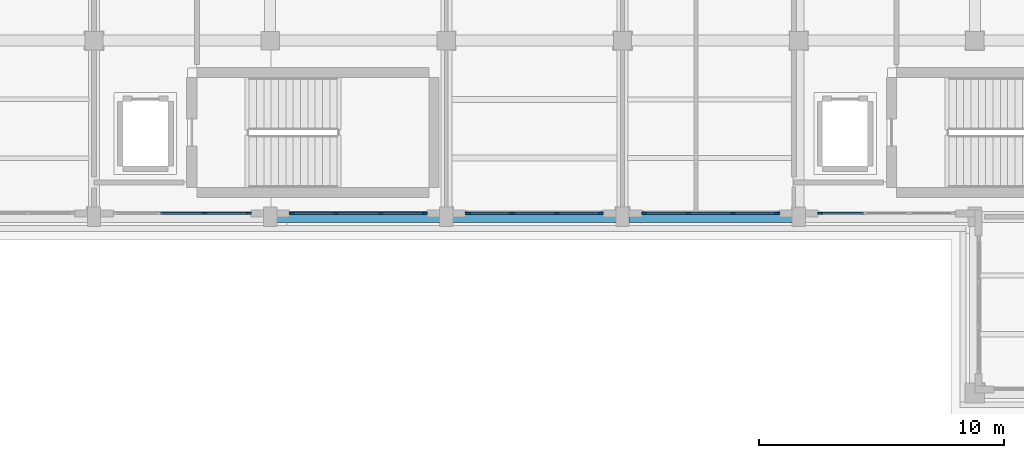
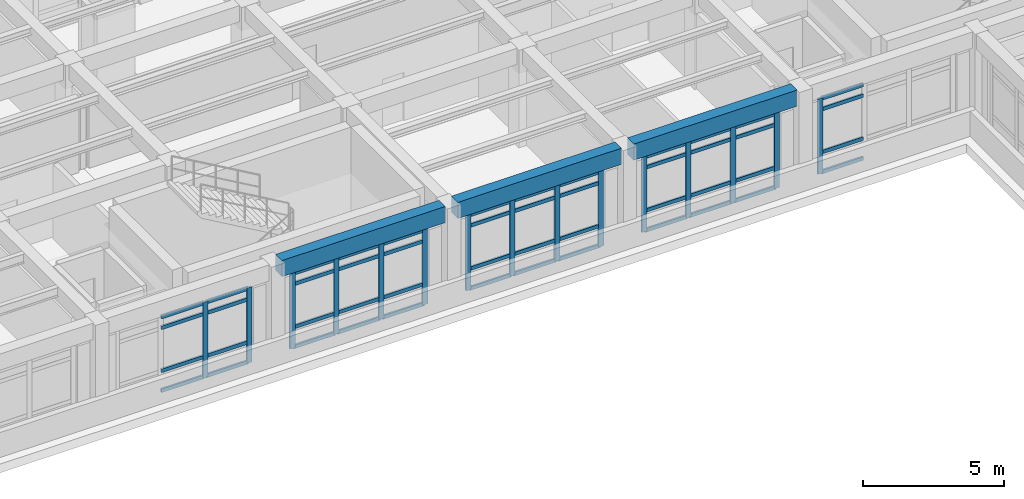
# One storey, part 25 of 67: 63 members, 3 beams, 5 elements without a shape of their own.
"""IFC4 building model written with IfcOpenShell, lengths in metres."""

from ifc_helpers import new_model, si_unit, direction, frame, origin, origin_2d, place, context, subcontext, project, spatial, rectangle, extrude, material, layer, layer_set, material_profile, profile_set, type_object, element, aggregate, save


model = new_model("IFC4")

# Units and contexts
model_context = context("Model", 3, precision=1e-05, world=origin(), true_north=direction((0.0, 1.0)))
body_context = subcontext(model_context, "Body", "Model", "MODEL_VIEW")
ifc_project = project(units=[si_unit("LENGTHUNIT", "METRE"), si_unit("AREAUNIT", "SQUARE_METRE"), si_unit("VOLUMEUNIT", "CUBIC_METRE"), si_unit("PLANEANGLEUNIT", "RADIAN"), si_unit("MASSUNIT", "GRAM", prefix="KILO")], contexts=[model_context])

# Site, building, storey
site_placement = place(None, origin())
site = spatial("IfcSite", under=ifc_project, at=site_placement, CompositionType="ELEMENT")
building_placement = place(site_placement, origin())
building = spatial("IfcBuilding", under=site, at=building_placement, Name="Solenvale Faculty of Natural Sciences", CompositionType="ELEMENT")
storey_placement = place(building_placement, frame((0.0, 0.0, 13.5)))
storey = spatial("IfcBuildingStorey", under=building, at=storey_placement, Name="L03", CompositionType="ELEMENT", Elevation=13.5)

# Beams
ifc_material_1 = material(Name="Concrete 40 MPa", Category="concrete")
ifc_material_profile_1 = material_profile(ifc_material_1, rectangle(XDim=0.449951171875, YDim=0.699951171875, at=origin_2d()), Name="RC-BM-450x700")
ifc_profile_set_1 = profile_set([ifc_material_profile_1], Name="Concrete 40 MPa")
beam_type = type_object("IfcBeamType", Name="BM-RC-450x700", PredefinedType="BEAM", material=ifc_profile_set_1)
beam_placement = place(storey_placement, frame((108.2548828125, 93.60009765625, 3.8701171875), z_axis=(1.0, 0.0, 0.0), x_axis=(0.0, 1.0, 0.0)))
element("IfcBeam", 1, at=beam_placement, inside=storey, type_object=beam_type, Name="L03 X-Girder Y93.6 (108.0..115.2)", PredefinedType="BEAM", context=body_context, shape_type="SweptSolid", body=[
    extrude(rectangle(XDim=0.449951171875, YDim=0.699951171875, at=origin_2d()), origin(), (0.0, 0.0, 1.0), 6.690185546875),
])
for number, where, z_axis, x_axis, name in (
    (2, (115.455078125, 93.60009765625, 3.8701171875), (1.0, 0.0, 0.0), (0.0, 1.0, 0.0), "L03 X-Girder Y93.6 (115.2..122.4)"),
    (3, (122.655029296875, 93.60009765625, 3.8701171875), (1.0, 0.0, 0.0), (0.0, 1.0, 0.0), "L03 X-Girder Y93.6 (122.4..129.6)"),
):
    element("IfcBeam", number, at=place(storey_placement, frame(where, z_axis=z_axis, x_axis=x_axis)), inside=storey, type_object=beam_type, Name=name, PredefinedType="BEAM", context=body_context, shape_type="SweptSolid", body=[
        extrude(rectangle(XDim=0.449951171875, YDim=0.699951171875, at=origin_2d()), origin(), (0.0, 0.0, 1.0), 6.68994140625),
    ])

# Curtain wall, members
ifc_material_2 = material(Name="Anodised bronze aluminium", Category="aluminium")
ifc_layer = layer(ifc_material_2, 0.179931640625)
ifc_layer_set = layer_set([ifc_layer], Name="Anodised bronze aluminium")
curtain_wall_type = type_object("IfcCurtainWallType", Name="CW-TWR-MOD", PredefinedType="USERDEFINED", material=ifc_layer_set)
curtain_wall_1_placement = place(storey_placement, origin())
curtain_wall_1 = element("IfcCurtainWall", 4, at=curtain_wall_1_placement, inside=storey, type_object=curtain_wall_type, Name="L03 Curtain Wall CW-L03-P3-E6-B4", ObjectType="UNITISED CURTAIN WALL", PredefinedType="USERDEFINED")
ifc_material_profile_2 = material_profile(ifc_material_2, rectangle(XDim=0.074951171875, YDim=0.2099609375, at=origin_2d()), Name="ALU-MUL-75x210")
ifc_profile_set_2 = profile_set([ifc_material_profile_2], Name="Anodised bronze aluminium")
member_type_1 = type_object("IfcMemberType", Name="CWM-ALU-75x210", PredefinedType="MULLION", material=ifc_profile_set_2)
member_1_placement = place(storey_placement, frame((105.316650390625, 93.742431640625, 0.0), z_axis=(0.0, 0.0, 1.0), x_axis=(0.0, 1.0, 0.0)))
member_1 = element("IfcMember", 5, at=member_1_placement, type_object=member_type_1, Name="CW-04 mullion 3", PredefinedType="MULLION", context=body_context, shape_type="SweptSolid", body=[
    extrude(rectangle(XDim=0.074951171875, YDim=0.2099609375, at=origin_2d()), origin(), (0.0, 0.0, 1.0), 3.260009765625),
])
member_2_placement = place(storey_placement, frame((107.112548828125, 93.742431640625, 0.0), z_axis=(0.0, 0.0, 1.0), x_axis=(0.0, 1.0, 0.0)))
member_2 = element("IfcMember", 6, at=member_2_placement, type_object=member_type_1, Name="CW-04 mullion 4", PredefinedType="MULLION", context=body_context, shape_type="SweptSolid", body=[
    extrude(rectangle(XDim=0.074951171875, YDim=0.2099609375, at=origin_2d()), origin(), (0.0, 0.0, 1.0), 3.260009765625),
])

curtain_wall_2_placement = place(storey_placement, origin())
curtain_wall_2 = element("IfcCurtainWall", 7, at=curtain_wall_2_placement, inside=storey, type_object=curtain_wall_type, Name="L03 Curtain Wall CW-L03-P3-E6-B5", ObjectType="UNITISED CURTAIN WALL", PredefinedType="USERDEFINED")
member_3_placement = place(storey_placement, frame((108.887451171875, 93.742431640625, 0.0), z_axis=(0.0, 0.0, 1.0), x_axis=(0.0, 1.0, 0.0)))
member_3 = element("IfcMember", 8, at=member_3_placement, type_object=member_type_1, Name="CW-04 mullion 1", PredefinedType="MULLION", context=body_context, shape_type="SweptSolid", body=[
    extrude(rectangle(XDim=0.074951171875, YDim=0.2099609375, at=origin_2d()), origin(), (0.0, 0.0, 1.0), 3.260009765625),
])
member_4_placement = place(storey_placement, frame((110.683349609375, 93.742431640625, 0.0), z_axis=(0.0, 0.0, 1.0), x_axis=(0.0, 1.0, 0.0)))
member_4 = element("IfcMember", 9, at=member_4_placement, type_object=member_type_1, Name="CW-04 mullion 2", PredefinedType="MULLION", context=body_context, shape_type="SweptSolid", body=[
    extrude(rectangle(XDim=0.074951171875, YDim=0.2099609375, at=origin_2d()), origin(), (0.0, 0.0, 1.0), 3.260009765625),
])
member_5_placement = place(storey_placement, frame((112.5166015625, 93.742431640625, 0.0), z_axis=(0.0, 0.0, 1.0), x_axis=(0.0, 1.0, 0.0)))
member_5 = element("IfcMember", 10, at=member_5_placement, type_object=member_type_1, Name="CW-04 mullion 3", PredefinedType="MULLION", context=body_context, shape_type="SweptSolid", body=[
    extrude(rectangle(XDim=0.074951171875, YDim=0.2099609375, at=origin_2d()), origin(), (0.0, 0.0, 1.0), 3.260009765625),
])
member_6_placement = place(storey_placement, frame((114.3125, 93.742431640625, 0.0), z_axis=(0.0, 0.0, 1.0), x_axis=(0.0, 1.0, 0.0)))
member_6 = element("IfcMember", 11, at=member_6_placement, type_object=member_type_1, Name="CW-04 mullion 4", PredefinedType="MULLION", context=body_context, shape_type="SweptSolid", body=[
    extrude(rectangle(XDim=0.074951171875, YDim=0.2099609375, at=origin_2d()), origin(), (0.0, 0.0, 1.0), 3.260009765625),
])

curtain_wall_3_placement = place(storey_placement, origin())
curtain_wall_3 = element("IfcCurtainWall", 12, at=curtain_wall_3_placement, inside=storey, type_object=curtain_wall_type, Name="L03 Curtain Wall CW-L03-P3-E6-B6", ObjectType="UNITISED CURTAIN WALL", PredefinedType="USERDEFINED")
member_7_placement = place(storey_placement, frame((116.08740234375, 93.742431640625, 0.0), z_axis=(0.0, 0.0, 1.0), x_axis=(0.0, 1.0, 0.0)))
member_7 = element("IfcMember", 13, at=member_7_placement, type_object=member_type_1, Name="CW-04 mullion 1", PredefinedType="MULLION", context=body_context, shape_type="SweptSolid", body=[
    extrude(rectangle(XDim=0.074951171875, YDim=0.2099609375, at=origin_2d()), origin(), (0.0, 0.0, 1.0), 3.260009765625),
])
member_8_placement = place(storey_placement, frame((117.88330078125, 93.742431640625, 0.0), z_axis=(0.0, 0.0, 1.0), x_axis=(0.0, 1.0, 0.0)))
member_8 = element("IfcMember", 14, at=member_8_placement, type_object=member_type_1, Name="CW-04 mullion 2", PredefinedType="MULLION", context=body_context, shape_type="SweptSolid", body=[
    extrude(rectangle(XDim=0.074951171875, YDim=0.2099609375, at=origin_2d()), origin(), (0.0, 0.0, 1.0), 3.260009765625),
])
member_9_placement = place(storey_placement, frame((119.716552734375, 93.742431640625, 0.0), z_axis=(0.0, 0.0, 1.0), x_axis=(0.0, 1.0, 0.0)))
member_9 = element("IfcMember", 15, at=member_9_placement, type_object=member_type_1, Name="CW-04 mullion 3", PredefinedType="MULLION", context=body_context, shape_type="SweptSolid", body=[
    extrude(rectangle(XDim=0.074951171875, YDim=0.2099609375, at=origin_2d()), origin(), (0.0, 0.0, 1.0), 3.260009765625),
])
member_10_placement = place(storey_placement, frame((121.512451171875, 93.742431640625, 0.0), z_axis=(0.0, 0.0, 1.0), x_axis=(0.0, 1.0, 0.0)))
member_10 = element("IfcMember", 16, at=member_10_placement, type_object=member_type_1, Name="CW-04 mullion 4", PredefinedType="MULLION", context=body_context, shape_type="SweptSolid", body=[
    extrude(rectangle(XDim=0.074951171875, YDim=0.2099609375, at=origin_2d()), origin(), (0.0, 0.0, 1.0), 3.260009765625),
])

curtain_wall_4_placement = place(storey_placement, origin())
curtain_wall_4 = element("IfcCurtainWall", 17, at=curtain_wall_4_placement, inside=storey, type_object=curtain_wall_type, Name="L03 Curtain Wall CW-L03-P3-E6-B7", ObjectType="UNITISED CURTAIN WALL", PredefinedType="USERDEFINED")
member_11_placement = place(storey_placement, frame((123.28759765625, 93.742431640625, 0.0), z_axis=(0.0, 0.0, 1.0), x_axis=(0.0, 1.0, 0.0)))
member_11 = element("IfcMember", 18, at=member_11_placement, type_object=member_type_1, Name="CW-04 mullion 1", PredefinedType="MULLION", context=body_context, shape_type="SweptSolid", body=[
    extrude(rectangle(XDim=0.074951171875, YDim=0.2099609375, at=origin_2d()), origin(), (0.0, 0.0, 1.0), 3.260009765625),
])
member_12_placement = place(storey_placement, frame((125.083251953125, 93.742431640625, 0.0), z_axis=(0.0, 0.0, 1.0), x_axis=(0.0, 1.0, 0.0)))
member_12 = element("IfcMember", 19, at=member_12_placement, type_object=member_type_1, Name="CW-04 mullion 2", PredefinedType="MULLION", context=body_context, shape_type="SweptSolid", body=[
    extrude(rectangle(XDim=0.074951171875, YDim=0.2099609375, at=origin_2d()), origin(), (0.0, 0.0, 1.0), 3.260009765625),
])
member_13_placement = place(storey_placement, frame((126.916748046875, 93.742431640625, 0.0), z_axis=(0.0, 0.0, 1.0), x_axis=(0.0, 1.0, 0.0)))
member_13 = element("IfcMember", 20, at=member_13_placement, type_object=member_type_1, Name="CW-04 mullion 3", PredefinedType="MULLION", context=body_context, shape_type="SweptSolid", body=[
    extrude(rectangle(XDim=0.074951171875, YDim=0.2099609375, at=origin_2d()), origin(), (0.0, 0.0, 1.0), 3.260009765625),
])
member_14_placement = place(storey_placement, frame((128.71240234375, 93.742431640625, 0.0), z_axis=(0.0, 0.0, 1.0), x_axis=(0.0, 1.0, 0.0)))
member_14 = element("IfcMember", 21, at=member_14_placement, type_object=member_type_1, Name="CW-04 mullion 4", PredefinedType="MULLION", context=body_context, shape_type="SweptSolid", body=[
    extrude(rectangle(XDim=0.074951171875, YDim=0.2099609375, at=origin_2d()), origin(), (0.0, 0.0, 1.0), 3.260009765625),
])

# Curtain wall, member
curtain_wall_5_placement = place(storey_placement, origin())
curtain_wall_5 = element("IfcCurtainWall", 22, at=curtain_wall_5_placement, inside=storey, type_object=curtain_wall_type, Name="L03 Curtain Wall CW-L03-P3-E6-B8", ObjectType="UNITISED CURTAIN WALL", PredefinedType="USERDEFINED")
member_15_placement = place(storey_placement, frame((130.487548828125, 93.742431640625, 0.0), z_axis=(0.0, 0.0, 1.0), x_axis=(0.0, 1.0, 0.0)))
member_15 = element("IfcMember", 23, at=member_15_placement, type_object=member_type_1, Name="CW-04 mullion 1", PredefinedType="MULLION", context=body_context, shape_type="SweptSolid", body=[
    extrude(rectangle(XDim=0.074951171875, YDim=0.2099609375, at=origin_2d()), origin(), (0.0, 0.0, 1.0), 3.260009765625),
])

# Member
ifc_material_profile_3 = material_profile(ifc_material_2, rectangle(XDim=0.074951171875, YDim=0.155029296875, at=origin_2d()), Name="ALU-TRN-75x155")
ifc_profile_set_3 = profile_set([ifc_material_profile_3], Name="Anodised bronze aluminium")
member_type_2 = type_object("IfcMemberType", Name="CWT-ALU-75x155", PredefinedType="USERDEFINED", material=ifc_profile_set_3)
member_16_placement = place(storey_placement, frame((103.520751953125, 93.742431640625, 0.03759765625), z_axis=(1.0, 0.0, 0.0), x_axis=(0.0, 1.0, 0.0)))
member_16 = element("IfcMember", 24, at=member_16_placement, type_object=member_type_2, Name="CW-04 transom 2.1", ObjectType="TRANSOM", PredefinedType="USERDEFINED", context=body_context, shape_type="SweptSolid", body=[
    extrude(rectangle(XDim=0.074951171875, YDim=0.155029296875, at=origin_2d()), origin(), (0.0, 0.0, 1.0), 1.75830078125),
])

member_17_placement = place(storey_placement, frame((103.520751953125, 93.742431640625, 0.89990234375), z_axis=(1.0, 0.0, 0.0), x_axis=(0.0, 1.0, 0.0)))
member_17 = element("IfcMember", 25, at=member_17_placement, type_object=member_type_2, Name="CW-04 transom 2.2", ObjectType="TRANSOM", PredefinedType="USERDEFINED", context=body_context, shape_type="SweptSolid", body=[
    extrude(rectangle(XDim=0.074951171875, YDim=0.155029296875, at=origin_2d()), origin(), (0.0, 0.0, 1.0), 1.75830078125),
])

member_18_placement = place(storey_placement, frame((103.520751953125, 93.742431640625, 2.760009765625), z_axis=(1.0, 0.0, 0.0), x_axis=(0.0, 1.0, 0.0)))
member_18 = element("IfcMember", 26, at=member_18_placement, type_object=member_type_2, Name="CW-04 transom 2.3", ObjectType="TRANSOM", PredefinedType="USERDEFINED", context=body_context, shape_type="SweptSolid", body=[
    extrude(rectangle(XDim=0.074951171875, YDim=0.155029296875, at=origin_2d()), origin(), (0.0, 0.0, 1.0), 1.75830078125),
])

member_19_placement = place(storey_placement, frame((103.520751953125, 93.742431640625, 3.222412109375), z_axis=(1.0, 0.0, 0.0), x_axis=(0.0, 1.0, 0.0)))
member_19 = element("IfcMember", 27, at=member_19_placement, type_object=member_type_2, Name="CW-04 transom 2.4", ObjectType="TRANSOM", PredefinedType="USERDEFINED", context=body_context, shape_type="SweptSolid", body=[
    extrude(rectangle(XDim=0.074951171875, YDim=0.155029296875, at=origin_2d()), origin(), (0.0, 0.0, 1.0), 1.75830078125),
])

member_20_placement = place(storey_placement, frame((105.354248046875, 93.742431640625, 0.03759765625), z_axis=(1.0, 0.0, 0.0), x_axis=(0.0, 1.0, 0.0)))
member_20 = element("IfcMember", 28, at=member_20_placement, type_object=member_type_2, Name="CW-04 transom 3.1", ObjectType="TRANSOM", PredefinedType="USERDEFINED", context=body_context, shape_type="SweptSolid", body=[
    extrude(rectangle(XDim=0.074951171875, YDim=0.155029296875, at=origin_2d()), origin(), (0.0, 0.0, 1.0), 1.720703125),
])

member_21_placement = place(storey_placement, frame((105.354248046875, 93.742431640625, 0.89990234375), z_axis=(1.0, 0.0, 0.0), x_axis=(0.0, 1.0, 0.0)))
member_21 = element("IfcMember", 29, at=member_21_placement, type_object=member_type_2, Name="CW-04 transom 3.2", ObjectType="TRANSOM", PredefinedType="USERDEFINED", context=body_context, shape_type="SweptSolid", body=[
    extrude(rectangle(XDim=0.074951171875, YDim=0.155029296875, at=origin_2d()), origin(), (0.0, 0.0, 1.0), 1.720703125),
])

member_22_placement = place(storey_placement, frame((105.354248046875, 93.742431640625, 2.760009765625), z_axis=(1.0, 0.0, 0.0), x_axis=(0.0, 1.0, 0.0)))
member_22 = element("IfcMember", 30, at=member_22_placement, type_object=member_type_2, Name="CW-04 transom 3.3", ObjectType="TRANSOM", PredefinedType="USERDEFINED", context=body_context, shape_type="SweptSolid", body=[
    extrude(rectangle(XDim=0.074951171875, YDim=0.155029296875, at=origin_2d()), origin(), (0.0, 0.0, 1.0), 1.720703125),
])

member_23_placement = place(storey_placement, frame((105.354248046875, 93.742431640625, 3.222412109375), z_axis=(1.0, 0.0, 0.0), x_axis=(0.0, 1.0, 0.0)))
member_23 = element("IfcMember", 31, at=member_23_placement, type_object=member_type_2, Name="CW-04 transom 3.4", ObjectType="TRANSOM", PredefinedType="USERDEFINED", context=body_context, shape_type="SweptSolid", body=[
    extrude(rectangle(XDim=0.074951171875, YDim=0.155029296875, at=origin_2d()), origin(), (0.0, 0.0, 1.0), 1.720703125),
])

aggregate(curtain_wall_1, [member_1, member_2, member_16, member_17, member_18, member_19, member_20, member_21, member_22, member_23])

member_24_placement = place(storey_placement, frame((108.925048828125, 93.742431640625, 0.03759765625), z_axis=(1.0, 0.0, 0.0), x_axis=(0.0, 1.0, 0.0)))
member_24 = element("IfcMember", 32, at=member_24_placement, type_object=member_type_2, Name="CW-04 transom 1.1", ObjectType="TRANSOM", PredefinedType="USERDEFINED", context=body_context, shape_type="SweptSolid", body=[
    extrude(rectangle(XDim=0.074951171875, YDim=0.155029296875, at=origin_2d()), origin(), (0.0, 0.0, 1.0), 1.720703125),
])

member_25_placement = place(storey_placement, frame((108.925048828125, 93.742431640625, 0.89990234375), z_axis=(1.0, 0.0, 0.0), x_axis=(0.0, 1.0, 0.0)))
member_25 = element("IfcMember", 33, at=member_25_placement, type_object=member_type_2, Name="CW-04 transom 1.2", ObjectType="TRANSOM", PredefinedType="USERDEFINED", context=body_context, shape_type="SweptSolid", body=[
    extrude(rectangle(XDim=0.074951171875, YDim=0.155029296875, at=origin_2d()), origin(), (0.0, 0.0, 1.0), 1.720703125),
])

member_26_placement = place(storey_placement, frame((108.925048828125, 93.742431640625, 2.760009765625), z_axis=(1.0, 0.0, 0.0), x_axis=(0.0, 1.0, 0.0)))
member_26 = element("IfcMember", 34, at=member_26_placement, type_object=member_type_2, Name="CW-04 transom 1.3", ObjectType="TRANSOM", PredefinedType="USERDEFINED", context=body_context, shape_type="SweptSolid", body=[
    extrude(rectangle(XDim=0.074951171875, YDim=0.155029296875, at=origin_2d()), origin(), (0.0, 0.0, 1.0), 1.720703125),
])

member_27_placement = place(storey_placement, frame((108.925048828125, 93.742431640625, 3.222412109375), z_axis=(1.0, 0.0, 0.0), x_axis=(0.0, 1.0, 0.0)))
member_27 = element("IfcMember", 35, at=member_27_placement, type_object=member_type_2, Name="CW-04 transom 1.4", ObjectType="TRANSOM", PredefinedType="USERDEFINED", context=body_context, shape_type="SweptSolid", body=[
    extrude(rectangle(XDim=0.074951171875, YDim=0.155029296875, at=origin_2d()), origin(), (0.0, 0.0, 1.0), 1.720703125),
])

member_28_placement = place(storey_placement, frame((110.720947265625, 93.742431640625, 0.03759765625), z_axis=(1.0, 0.0, 0.0), x_axis=(0.0, 1.0, 0.0)))
member_28 = element("IfcMember", 36, at=member_28_placement, type_object=member_type_2, Name="CW-04 transom 2.1", ObjectType="TRANSOM", PredefinedType="USERDEFINED", context=body_context, shape_type="SweptSolid", body=[
    extrude(rectangle(XDim=0.074951171875, YDim=0.155029296875, at=origin_2d()), origin(), (0.0, 0.0, 1.0), 1.75830078125),
])

member_29_placement = place(storey_placement, frame((110.720947265625, 93.742431640625, 0.89990234375), z_axis=(1.0, 0.0, 0.0), x_axis=(0.0, 1.0, 0.0)))
member_29 = element("IfcMember", 37, at=member_29_placement, type_object=member_type_2, Name="CW-04 transom 2.2", ObjectType="TRANSOM", PredefinedType="USERDEFINED", context=body_context, shape_type="SweptSolid", body=[
    extrude(rectangle(XDim=0.074951171875, YDim=0.155029296875, at=origin_2d()), origin(), (0.0, 0.0, 1.0), 1.75830078125),
])

member_30_placement = place(storey_placement, frame((110.720947265625, 93.742431640625, 2.760009765625), z_axis=(1.0, 0.0, 0.0), x_axis=(0.0, 1.0, 0.0)))
member_30 = element("IfcMember", 38, at=member_30_placement, type_object=member_type_2, Name="CW-04 transom 2.3", ObjectType="TRANSOM", PredefinedType="USERDEFINED", context=body_context, shape_type="SweptSolid", body=[
    extrude(rectangle(XDim=0.074951171875, YDim=0.155029296875, at=origin_2d()), origin(), (0.0, 0.0, 1.0), 1.75830078125),
])

member_31_placement = place(storey_placement, frame((110.720947265625, 93.742431640625, 3.222412109375), z_axis=(1.0, 0.0, 0.0), x_axis=(0.0, 1.0, 0.0)))
member_31 = element("IfcMember", 39, at=member_31_placement, type_object=member_type_2, Name="CW-04 transom 2.4", ObjectType="TRANSOM", PredefinedType="USERDEFINED", context=body_context, shape_type="SweptSolid", body=[
    extrude(rectangle(XDim=0.074951171875, YDim=0.155029296875, at=origin_2d()), origin(), (0.0, 0.0, 1.0), 1.75830078125),
])

member_32_placement = place(storey_placement, frame((112.55419921875, 93.742431640625, 0.03759765625), z_axis=(1.0, 0.0, 0.0), x_axis=(0.0, 1.0, 0.0)))
member_32 = element("IfcMember", 40, at=member_32_placement, type_object=member_type_2, Name="CW-04 transom 3.1", ObjectType="TRANSOM", PredefinedType="USERDEFINED", context=body_context, shape_type="SweptSolid", body=[
    extrude(rectangle(XDim=0.074951171875, YDim=0.155029296875, at=origin_2d()), origin(), (0.0, 0.0, 1.0), 1.720703125),
])

member_33_placement = place(storey_placement, frame((112.55419921875, 93.742431640625, 0.89990234375), z_axis=(1.0, 0.0, 0.0), x_axis=(0.0, 1.0, 0.0)))
member_33 = element("IfcMember", 41, at=member_33_placement, type_object=member_type_2, Name="CW-04 transom 3.2", ObjectType="TRANSOM", PredefinedType="USERDEFINED", context=body_context, shape_type="SweptSolid", body=[
    extrude(rectangle(XDim=0.074951171875, YDim=0.155029296875, at=origin_2d()), origin(), (0.0, 0.0, 1.0), 1.720703125),
])

member_34_placement = place(storey_placement, frame((112.55419921875, 93.742431640625, 2.760009765625), z_axis=(1.0, 0.0, 0.0), x_axis=(0.0, 1.0, 0.0)))
member_34 = element("IfcMember", 42, at=member_34_placement, type_object=member_type_2, Name="CW-04 transom 3.3", ObjectType="TRANSOM", PredefinedType="USERDEFINED", context=body_context, shape_type="SweptSolid", body=[
    extrude(rectangle(XDim=0.074951171875, YDim=0.155029296875, at=origin_2d()), origin(), (0.0, 0.0, 1.0), 1.720703125),
])

member_35_placement = place(storey_placement, frame((112.55419921875, 93.742431640625, 3.222412109375), z_axis=(1.0, 0.0, 0.0), x_axis=(0.0, 1.0, 0.0)))
member_35 = element("IfcMember", 43, at=member_35_placement, type_object=member_type_2, Name="CW-04 transom 3.4", ObjectType="TRANSOM", PredefinedType="USERDEFINED", context=body_context, shape_type="SweptSolid", body=[
    extrude(rectangle(XDim=0.074951171875, YDim=0.155029296875, at=origin_2d()), origin(), (0.0, 0.0, 1.0), 1.720703125),
])

aggregate(curtain_wall_2, [member_3, member_4, member_5, member_6, member_24, member_25, member_26, member_27, member_28, member_29, member_30, member_31, member_32, member_33, member_34, member_35])

member_36_placement = place(storey_placement, frame((116.125, 93.742431640625, 0.03759765625), z_axis=(1.0, 0.0, 0.0), x_axis=(0.0, 1.0, 0.0)))
member_36 = element("IfcMember", 44, at=member_36_placement, type_object=member_type_2, Name="CW-04 transom 1.1", ObjectType="TRANSOM", PredefinedType="USERDEFINED", context=body_context, shape_type="SweptSolid", body=[
    extrude(rectangle(XDim=0.074951171875, YDim=0.155029296875, at=origin_2d()), origin(), (0.0, 0.0, 1.0), 1.720947265625),
])

member_37_placement = place(storey_placement, frame((116.125, 93.742431640625, 0.89990234375), z_axis=(1.0, 0.0, 0.0), x_axis=(0.0, 1.0, 0.0)))
member_37 = element("IfcMember", 45, at=member_37_placement, type_object=member_type_2, Name="CW-04 transom 1.2", ObjectType="TRANSOM", PredefinedType="USERDEFINED", context=body_context, shape_type="SweptSolid", body=[
    extrude(rectangle(XDim=0.074951171875, YDim=0.155029296875, at=origin_2d()), origin(), (0.0, 0.0, 1.0), 1.720947265625),
])

member_38_placement = place(storey_placement, frame((116.125, 93.742431640625, 2.760009765625), z_axis=(1.0, 0.0, 0.0), x_axis=(0.0, 1.0, 0.0)))
member_38 = element("IfcMember", 46, at=member_38_placement, type_object=member_type_2, Name="CW-04 transom 1.3", ObjectType="TRANSOM", PredefinedType="USERDEFINED", context=body_context, shape_type="SweptSolid", body=[
    extrude(rectangle(XDim=0.074951171875, YDim=0.155029296875, at=origin_2d()), origin(), (0.0, 0.0, 1.0), 1.720947265625),
])

member_39_placement = place(storey_placement, frame((116.125, 93.742431640625, 3.222412109375), z_axis=(1.0, 0.0, 0.0), x_axis=(0.0, 1.0, 0.0)))
member_39 = element("IfcMember", 47, at=member_39_placement, type_object=member_type_2, Name="CW-04 transom 1.4", ObjectType="TRANSOM", PredefinedType="USERDEFINED", context=body_context, shape_type="SweptSolid", body=[
    extrude(rectangle(XDim=0.074951171875, YDim=0.155029296875, at=origin_2d()), origin(), (0.0, 0.0, 1.0), 1.720947265625),
])

member_40_placement = place(storey_placement, frame((117.9208984375, 93.742431640625, 0.03759765625), z_axis=(1.0, 0.0, 0.0), x_axis=(0.0, 1.0, 0.0)))
member_40 = element("IfcMember", 48, at=member_40_placement, type_object=member_type_2, Name="CW-04 transom 2.1", ObjectType="TRANSOM", PredefinedType="USERDEFINED", context=body_context, shape_type="SweptSolid", body=[
    extrude(rectangle(XDim=0.074951171875, YDim=0.155029296875, at=origin_2d()), origin(), (0.0, 0.0, 1.0), 1.75830078125),
])

member_41_placement = place(storey_placement, frame((117.9208984375, 93.742431640625, 0.89990234375), z_axis=(1.0, 0.0, 0.0), x_axis=(0.0, 1.0, 0.0)))
member_41 = element("IfcMember", 49, at=member_41_placement, type_object=member_type_2, Name="CW-04 transom 2.2", ObjectType="TRANSOM", PredefinedType="USERDEFINED", context=body_context, shape_type="SweptSolid", body=[
    extrude(rectangle(XDim=0.074951171875, YDim=0.155029296875, at=origin_2d()), origin(), (0.0, 0.0, 1.0), 1.75830078125),
])

member_42_placement = place(storey_placement, frame((117.9208984375, 93.742431640625, 2.760009765625), z_axis=(1.0, 0.0, 0.0), x_axis=(0.0, 1.0, 0.0)))
member_42 = element("IfcMember", 50, at=member_42_placement, type_object=member_type_2, Name="CW-04 transom 2.3", ObjectType="TRANSOM", PredefinedType="USERDEFINED", context=body_context, shape_type="SweptSolid", body=[
    extrude(rectangle(XDim=0.074951171875, YDim=0.155029296875, at=origin_2d()), origin(), (0.0, 0.0, 1.0), 1.75830078125),
])

member_43_placement = place(storey_placement, frame((117.9208984375, 93.742431640625, 3.222412109375), z_axis=(1.0, 0.0, 0.0), x_axis=(0.0, 1.0, 0.0)))
member_43 = element("IfcMember", 51, at=member_43_placement, type_object=member_type_2, Name="CW-04 transom 2.4", ObjectType="TRANSOM", PredefinedType="USERDEFINED", context=body_context, shape_type="SweptSolid", body=[
    extrude(rectangle(XDim=0.074951171875, YDim=0.155029296875, at=origin_2d()), origin(), (0.0, 0.0, 1.0), 1.75830078125),
])

member_44_placement = place(storey_placement, frame((119.754150390625, 93.742431640625, 0.03759765625), z_axis=(1.0, 0.0, 0.0), x_axis=(0.0, 1.0, 0.0)))
member_44 = element("IfcMember", 52, at=member_44_placement, type_object=member_type_2, Name="CW-04 transom 3.1", ObjectType="TRANSOM", PredefinedType="USERDEFINED", context=body_context, shape_type="SweptSolid", body=[
    extrude(rectangle(XDim=0.074951171875, YDim=0.155029296875, at=origin_2d()), origin(), (0.0, 0.0, 1.0), 1.720947265625),
])

member_45_placement = place(storey_placement, frame((119.754150390625, 93.742431640625, 0.89990234375), z_axis=(1.0, 0.0, 0.0), x_axis=(0.0, 1.0, 0.0)))
member_45 = element("IfcMember", 53, at=member_45_placement, type_object=member_type_2, Name="CW-04 transom 3.2", ObjectType="TRANSOM", PredefinedType="USERDEFINED", context=body_context, shape_type="SweptSolid", body=[
    extrude(rectangle(XDim=0.074951171875, YDim=0.155029296875, at=origin_2d()), origin(), (0.0, 0.0, 1.0), 1.720947265625),
])

member_46_placement = place(storey_placement, frame((119.754150390625, 93.742431640625, 2.760009765625), z_axis=(1.0, 0.0, 0.0), x_axis=(0.0, 1.0, 0.0)))
member_46 = element("IfcMember", 54, at=member_46_placement, type_object=member_type_2, Name="CW-04 transom 3.3", ObjectType="TRANSOM", PredefinedType="USERDEFINED", context=body_context, shape_type="SweptSolid", body=[
    extrude(rectangle(XDim=0.074951171875, YDim=0.155029296875, at=origin_2d()), origin(), (0.0, 0.0, 1.0), 1.720947265625),
])

member_47_placement = place(storey_placement, frame((119.754150390625, 93.742431640625, 3.222412109375), z_axis=(1.0, 0.0, 0.0), x_axis=(0.0, 1.0, 0.0)))
member_47 = element("IfcMember", 55, at=member_47_placement, type_object=member_type_2, Name="CW-04 transom 3.4", ObjectType="TRANSOM", PredefinedType="USERDEFINED", context=body_context, shape_type="SweptSolid", body=[
    extrude(rectangle(XDim=0.074951171875, YDim=0.155029296875, at=origin_2d()), origin(), (0.0, 0.0, 1.0), 1.720947265625),
])

aggregate(curtain_wall_3, [member_7, member_8, member_9, member_10, member_36, member_37, member_38, member_39, member_40, member_41, member_42, member_43, member_44, member_45, member_46, member_47])

member_48_placement = place(storey_placement, frame((123.324951171875, 93.742431640625, 0.03759765625), z_axis=(1.0, 0.0, 0.0), x_axis=(0.0, 1.0, 0.0)))
member_48 = element("IfcMember", 56, at=member_48_placement, type_object=member_type_2, Name="CW-04 transom 1.1", ObjectType="TRANSOM", PredefinedType="USERDEFINED", context=body_context, shape_type="SweptSolid", body=[
    extrude(rectangle(XDim=0.074951171875, YDim=0.155029296875, at=origin_2d()), origin(), (0.0, 0.0, 1.0), 1.720947265625),
])

member_49_placement = place(storey_placement, frame((123.324951171875, 93.742431640625, 0.89990234375), z_axis=(1.0, 0.0, 0.0), x_axis=(0.0, 1.0, 0.0)))
member_49 = element("IfcMember", 57, at=member_49_placement, type_object=member_type_2, Name="CW-04 transom 1.2", ObjectType="TRANSOM", PredefinedType="USERDEFINED", context=body_context, shape_type="SweptSolid", body=[
    extrude(rectangle(XDim=0.074951171875, YDim=0.155029296875, at=origin_2d()), origin(), (0.0, 0.0, 1.0), 1.720947265625),
])

member_50_placement = place(storey_placement, frame((123.324951171875, 93.742431640625, 2.760009765625), z_axis=(1.0, 0.0, 0.0), x_axis=(0.0, 1.0, 0.0)))
member_50 = element("IfcMember", 58, at=member_50_placement, type_object=member_type_2, Name="CW-04 transom 1.3", ObjectType="TRANSOM", PredefinedType="USERDEFINED", context=body_context, shape_type="SweptSolid", body=[
    extrude(rectangle(XDim=0.074951171875, YDim=0.155029296875, at=origin_2d()), origin(), (0.0, 0.0, 1.0), 1.720947265625),
])

member_51_placement = place(storey_placement, frame((123.324951171875, 93.742431640625, 3.222412109375), z_axis=(1.0, 0.0, 0.0), x_axis=(0.0, 1.0, 0.0)))
member_51 = element("IfcMember", 59, at=member_51_placement, type_object=member_type_2, Name="CW-04 transom 1.4", ObjectType="TRANSOM", PredefinedType="USERDEFINED", context=body_context, shape_type="SweptSolid", body=[
    extrude(rectangle(XDim=0.074951171875, YDim=0.155029296875, at=origin_2d()), origin(), (0.0, 0.0, 1.0), 1.720947265625),
])

member_52_placement = place(storey_placement, frame((125.120849609375, 93.742431640625, 0.03759765625), z_axis=(1.0, 0.0, 0.0), x_axis=(0.0, 1.0, 0.0)))
member_52 = element("IfcMember", 60, at=member_52_placement, type_object=member_type_2, Name="CW-04 transom 2.1", ObjectType="TRANSOM", PredefinedType="USERDEFINED", context=body_context, shape_type="SweptSolid", body=[
    extrude(rectangle(XDim=0.074951171875, YDim=0.155029296875, at=origin_2d()), origin(), (0.0, 0.0, 1.0), 1.75830078125),
])

member_53_placement = place(storey_placement, frame((125.120849609375, 93.742431640625, 0.89990234375), z_axis=(1.0, 0.0, 0.0), x_axis=(0.0, 1.0, 0.0)))
member_53 = element("IfcMember", 61, at=member_53_placement, type_object=member_type_2, Name="CW-04 transom 2.2", ObjectType="TRANSOM", PredefinedType="USERDEFINED", context=body_context, shape_type="SweptSolid", body=[
    extrude(rectangle(XDim=0.074951171875, YDim=0.155029296875, at=origin_2d()), origin(), (0.0, 0.0, 1.0), 1.75830078125),
])

member_54_placement = place(storey_placement, frame((125.120849609375, 93.742431640625, 2.760009765625), z_axis=(1.0, 0.0, 0.0), x_axis=(0.0, 1.0, 0.0)))
member_54 = element("IfcMember", 62, at=member_54_placement, type_object=member_type_2, Name="CW-04 transom 2.3", ObjectType="TRANSOM", PredefinedType="USERDEFINED", context=body_context, shape_type="SweptSolid", body=[
    extrude(rectangle(XDim=0.074951171875, YDim=0.155029296875, at=origin_2d()), origin(), (0.0, 0.0, 1.0), 1.75830078125),
])

member_55_placement = place(storey_placement, frame((125.120849609375, 93.742431640625, 3.222412109375), z_axis=(1.0, 0.0, 0.0), x_axis=(0.0, 1.0, 0.0)))
member_55 = element("IfcMember", 63, at=member_55_placement, type_object=member_type_2, Name="CW-04 transom 2.4", ObjectType="TRANSOM", PredefinedType="USERDEFINED", context=body_context, shape_type="SweptSolid", body=[
    extrude(rectangle(XDim=0.074951171875, YDim=0.155029296875, at=origin_2d()), origin(), (0.0, 0.0, 1.0), 1.75830078125),
])

member_56_placement = place(storey_placement, frame((126.9541015625, 93.742431640625, 0.03759765625), z_axis=(1.0, 0.0, 0.0), x_axis=(0.0, 1.0, 0.0)))
member_56 = element("IfcMember", 64, at=member_56_placement, type_object=member_type_2, Name="CW-04 transom 3.1", ObjectType="TRANSOM", PredefinedType="USERDEFINED", context=body_context, shape_type="SweptSolid", body=[
    extrude(rectangle(XDim=0.074951171875, YDim=0.155029296875, at=origin_2d()), origin(), (0.0, 0.0, 1.0), 1.720947265625),
])

member_57_placement = place(storey_placement, frame((126.9541015625, 93.742431640625, 0.89990234375), z_axis=(1.0, 0.0, 0.0), x_axis=(0.0, 1.0, 0.0)))
member_57 = element("IfcMember", 65, at=member_57_placement, type_object=member_type_2, Name="CW-04 transom 3.2", ObjectType="TRANSOM", PredefinedType="USERDEFINED", context=body_context, shape_type="SweptSolid", body=[
    extrude(rectangle(XDim=0.074951171875, YDim=0.155029296875, at=origin_2d()), origin(), (0.0, 0.0, 1.0), 1.720947265625),
])

member_58_placement = place(storey_placement, frame((126.9541015625, 93.742431640625, 2.760009765625), z_axis=(1.0, 0.0, 0.0), x_axis=(0.0, 1.0, 0.0)))
member_58 = element("IfcMember", 66, at=member_58_placement, type_object=member_type_2, Name="CW-04 transom 3.3", ObjectType="TRANSOM", PredefinedType="USERDEFINED", context=body_context, shape_type="SweptSolid", body=[
    extrude(rectangle(XDim=0.074951171875, YDim=0.155029296875, at=origin_2d()), origin(), (0.0, 0.0, 1.0), 1.720947265625),
])

member_59_placement = place(storey_placement, frame((126.9541015625, 93.742431640625, 3.222412109375), z_axis=(1.0, 0.0, 0.0), x_axis=(0.0, 1.0, 0.0)))
member_59 = element("IfcMember", 67, at=member_59_placement, type_object=member_type_2, Name="CW-04 transom 3.4", ObjectType="TRANSOM", PredefinedType="USERDEFINED", context=body_context, shape_type="SweptSolid", body=[
    extrude(rectangle(XDim=0.074951171875, YDim=0.155029296875, at=origin_2d()), origin(), (0.0, 0.0, 1.0), 1.720947265625),
])

aggregate(curtain_wall_4, [member_11, member_12, member_13, member_14, member_48, member_49, member_50, member_51, member_52, member_53, member_54, member_55, member_56, member_57, member_58, member_59])

member_60_placement = place(storey_placement, frame((130.52490234375, 93.742431640625, 0.03759765625), z_axis=(1.0, 0.0, 0.0), x_axis=(0.0, 1.0, 0.0)))
member_60 = element("IfcMember", 68, at=member_60_placement, type_object=member_type_2, Name="CW-04 transom 1.1", ObjectType="TRANSOM", PredefinedType="USERDEFINED", context=body_context, shape_type="SweptSolid", body=[
    extrude(rectangle(XDim=0.074951171875, YDim=0.155029296875, at=origin_2d()), origin(), (0.0, 0.0, 1.0), 1.720947265625),
])

member_61_placement = place(storey_placement, frame((130.52490234375, 93.742431640625, 0.89990234375), z_axis=(1.0, 0.0, 0.0), x_axis=(0.0, 1.0, 0.0)))
member_61 = element("IfcMember", 69, at=member_61_placement, type_object=member_type_2, Name="CW-04 transom 1.2", ObjectType="TRANSOM", PredefinedType="USERDEFINED", context=body_context, shape_type="SweptSolid", body=[
    extrude(rectangle(XDim=0.074951171875, YDim=0.155029296875, at=origin_2d()), origin(), (0.0, 0.0, 1.0), 1.720947265625),
])

member_62_placement = place(storey_placement, frame((130.52490234375, 93.742431640625, 2.760009765625), z_axis=(1.0, 0.0, 0.0), x_axis=(0.0, 1.0, 0.0)))
member_62 = element("IfcMember", 70, at=member_62_placement, type_object=member_type_2, Name="CW-04 transom 1.3", ObjectType="TRANSOM", PredefinedType="USERDEFINED", context=body_context, shape_type="SweptSolid", body=[
    extrude(rectangle(XDim=0.074951171875, YDim=0.155029296875, at=origin_2d()), origin(), (0.0, 0.0, 1.0), 1.720947265625),
])

member_63_placement = place(storey_placement, frame((130.52490234375, 93.742431640625, 3.222412109375), z_axis=(1.0, 0.0, 0.0), x_axis=(0.0, 1.0, 0.0)))
member_63 = element("IfcMember", 71, at=member_63_placement, type_object=member_type_2, Name="CW-04 transom 1.4", ObjectType="TRANSOM", PredefinedType="USERDEFINED", context=body_context, shape_type="SweptSolid", body=[
    extrude(rectangle(XDim=0.074951171875, YDim=0.155029296875, at=origin_2d()), origin(), (0.0, 0.0, 1.0), 1.720947265625),
])

aggregate(curtain_wall_5, [member_15, member_60, member_61, member_62, member_63])

save(model, "model.ifc")
